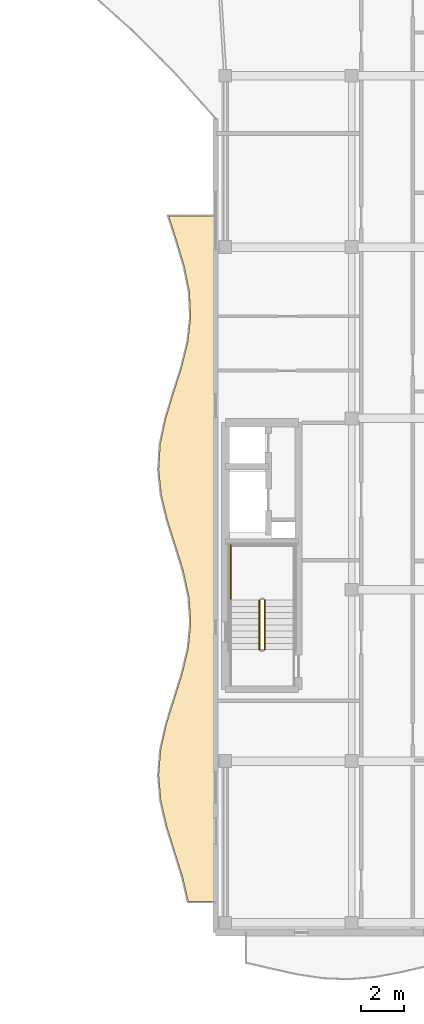
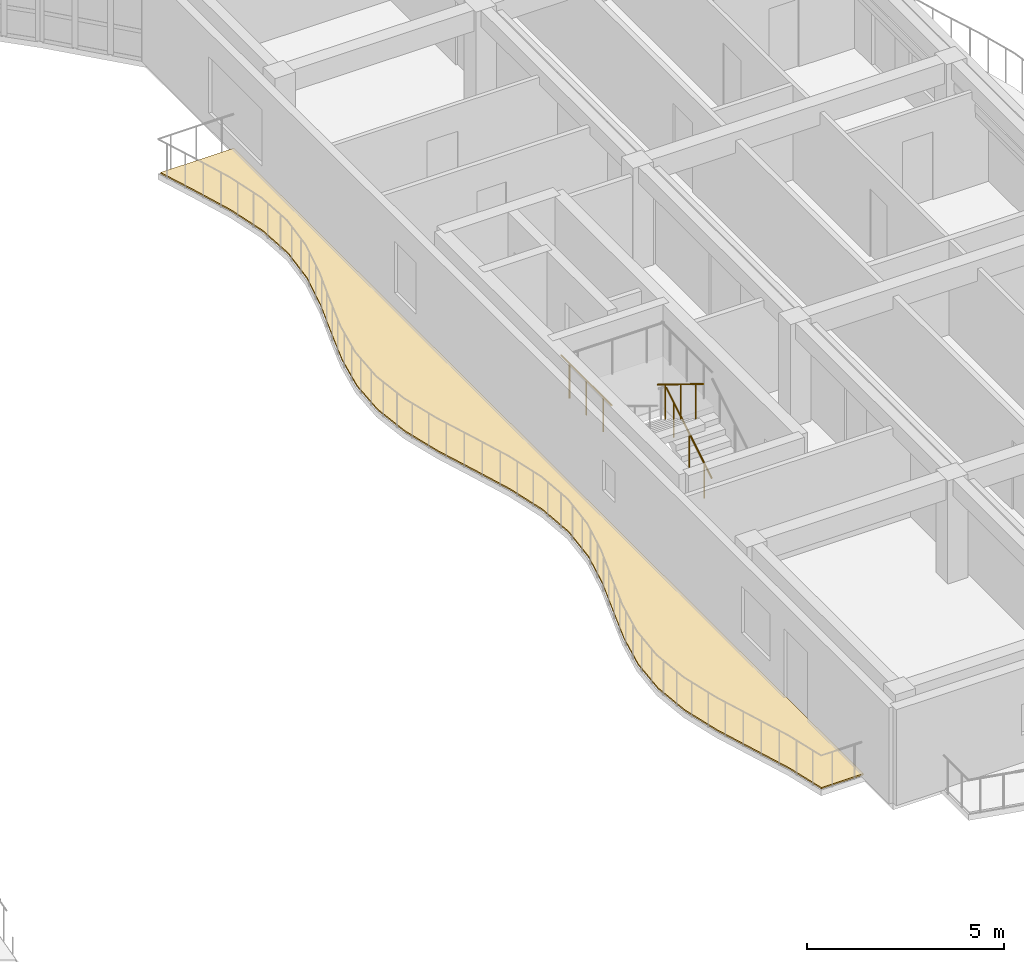
# One storey, part 53 of 76: 3 railings, 1 covering.
"""IFC4 building model written with IfcOpenShell, lengths in metres."""

from ifc_helpers import new_model, si_unit, direction, frame, origin, origin_2d, place, context, subcontext, project, spatial, polyline, circle, outline, extrude, material, layer, layer_set, type_object, element, save


model = new_model("IFC4")

# Units and contexts
model_context = context("Model", 3, precision=1e-05, world=origin(), true_north=direction((0.0, 1.0)))
body_context = subcontext(model_context, "Body", "Model", "MODEL_VIEW")
ifc_project = project(units=[si_unit("LENGTHUNIT", "METRE"), si_unit("AREAUNIT", "SQUARE_METRE"), si_unit("VOLUMEUNIT", "CUBIC_METRE"), si_unit("PLANEANGLEUNIT", "RADIAN"), si_unit("MASSUNIT", "GRAM", prefix="KILO")], contexts=[model_context])

# Site, building, storey
site_placement = place(None, origin())
site = spatial("IfcSite", under=ifc_project, at=site_placement, CompositionType="ELEMENT")
building_placement = place(site_placement, origin())
building = spatial("IfcBuilding", under=site, at=building_placement, Name="Keldmere Railside Commons", CompositionType="ELEMENT")
storey_placement = place(building_placement, frame((0.0, 0.0, 13.760009765625)))
storey = spatial("IfcBuildingStorey", under=building, at=storey_placement, Name="L04", CompositionType="ELEMENT", Elevation=13.760009765625)

# Railings
ifc_material_1 = material(Name="Steel F-24 (S235)", Category="steel")
railing_type = type_object("IfcRailingType", Name="Stair Well Steel Guardrail 1100", PredefinedType="BALUSTRADE", material=ifc_material_1)
railing_1_placement = place(storey_placement, frame((50.300048828125, 69.199951171875, 0.177734375)))
element("IfcRailing", 1, at=railing_1_placement, inside=storey, type_object=railing_type, Name="L04 ST-C1 stair guard 1", PredefinedType="BALUSTRADE", context=body_context, shape_type="SweptSolid", body=[
    extrude(circle(Radius=0.02392578125, at=origin_2d()), frame((0.0, 0.0, 1.076171875), z_axis=(0.0, 0.852538067394, 0.522665135287), x_axis=(-1.0, 0.0, 0.0)), (0.0, 0.0, 1.0), 2.721435546875),
    extrude(circle(Radius=0.02099609375, at=origin_2d()), frame((0.0, 0.38671875, 0.237060546875)), (0.0, 0.0, 1.0), 1.048095703125),
    extrude(circle(Radius=0.02099609375, at=origin_2d()), frame((0.0, 1.16015625, 0.711181640625)), (0.0, 0.0, 1.0), 1.048095703125),
    extrude(circle(Radius=0.02099609375, at=origin_2d()), frame((0.0, 1.933349609375, 1.185302734375)), (0.0, 0.0, 1.0), 1.048095703125),
])
railing_2_placement = place(storey_placement, frame((48.699951171875, 71.52001953125, 1.60009765625)))
element("IfcRailing", 2, at=railing_2_placement, inside=storey, type_object=railing_type, Name="L04 ST-C1 stair guard 4", PredefinedType="BALUSTRADE", context=body_context, shape_type="SweptSolid", body=[
    extrude(circle(Radius=0.02392578125, at=origin_2d()), frame((0.0, 0.0, 1.076171875), z_axis=(0.0, 1.0, 0.0), x_axis=(-1.0, 0.0, 0.0)), (0.0, 0.0, 1.0), 2.580078125),
    extrude(circle(Radius=0.02099609375, at=origin_2d()), frame((0.0, 0.429931640625, 0.0)), (0.0, 0.0, 1.0), 1.048095703125),
    extrude(circle(Radius=0.02099609375, at=origin_2d()), frame((0.0, 1.2900390625, 0.0)), (0.0, 0.0, 1.0), 1.048095703125),
    extrude(circle(Radius=0.02099609375, at=origin_2d()), frame((0.0, 2.150146484375, 0.0)), (0.0, 0.0, 1.0), 1.048095703125),
])
railing_3_placement = place(storey_placement, frame((50.050048828125, 71.52001953125, 1.77783203125)))
element("IfcRailing", 3, at=railing_3_placement, inside=storey, type_object=railing_type, Name="L04 ST-C1 stair guard 6", PredefinedType="BALUSTRADE", context=body_context, shape_type="SweptSolid", body=[
    extrude(circle(Radius=0.02392578125, at=origin_2d()), frame((0.0, 0.0, 1.076171875), z_axis=(0.0, -0.852578041948, 0.522599925744), x_axis=(1.0, 0.0, 0.0)), (0.0, 0.0, 1.0), 2.72119140625),
    extrude(circle(Radius=0.02099609375, at=origin_2d()), frame((0.0, -0.38671875, 0.237060546875)), (0.0, 0.0, 1.0), 1.048095703125),
    extrude(circle(Radius=0.02099609375, at=origin_2d()), frame((0.0, -1.16015625, 0.7109375)), (0.0, 0.0, 1.0), 1.048095703125),
    extrude(circle(Radius=0.02099609375, at=origin_2d()), frame((0.0, -1.933349609375, 1.18505859375)), (0.0, 0.0, 1.0), 1.048095703125),
])

# Covering
ifc_material_2 = material(Name="White Precast Concrete C35/45", Category="concrete")
ifc_layer = layer(ifc_material_2, 0.044921875, Name="White Architectural Balcony Ribbon Cladding 45")
ifc_layer_set = layer_set([ifc_layer], Name="White Precast Concrete C35/45")
covering_type = type_object("IfcCoveringType", Name="White Architectural Balcony Ribbon Cladding 45", PredefinedType="FLOORING", material=ifc_layer_set)
covering_placement = place(storey_placement, origin())
element("IfcCovering", 4, at=covering_placement, inside=storey, type_object=covering_type, Name="CLG-WB C L04 CW White Balcony Ribbon", PredefinedType="FLOORING", context=body_context, shape_type="SweptSolid", body=[
    extrude(outline(polyline([(47.9599609375, 89.4599609375), (45.80810546875, 89.4599609375), (46.172119140625, 88.3232421875), (46.172119140625, 88.322509765625), (46.530517578125, 87.1337890625), (46.531494140625, 87.130126953125), (46.773681640625, 85.94140625), (46.774169921875, 85.938232421875), (46.7744140625, 85.935302734375), (46.836181640625, 84.74658203125), (46.83642578125, 84.7431640625), (46.836181640625, 84.739990234375), (46.70166015625, 83.551025390625), (46.70068359375, 83.5458984375), (46.405517578125, 82.357177734375), (46.40478515625, 82.3544921875), (46.026123046875, 81.166015625), (45.664306640625, 79.97900390625), (45.41455078125, 78.794677734375), (45.341796875, 77.612060546875), (45.465087890625, 76.428955078125), (45.752197265625, 75.244140625), (46.12841796875, 74.056396484375), (46.128662109375, 74.05615234375), (46.49462890625, 72.867431640625), (46.49560546875, 72.864013671875), (46.75439453125, 71.67529296875), (46.75537109375, 71.66943359375), (46.83935546875, 70.480712890625), (46.83935546875, 70.477294921875), (46.839111328125, 70.47412109375), (46.72607421875, 69.28515625), (46.72509765625, 69.27978515625), (46.444580078125, 68.0908203125), (46.44384765625, 68.087890625), (46.069580078125, 66.899169921875), (45.70068359375, 65.7119140625), (45.4345703125, 64.52734375), (45.340087890625, 63.344482421875), (45.442138671875, 62.161865234375), (45.7138671875, 60.977294921875), (46.0849609375, 59.789794921875), (46.457275390625, 58.600830078125), (46.4580078125, 58.597900390625), (46.72607421875, 57.43994140625), (47.9599609375, 57.43994140625), (47.9599609375, 89.4599609375)])), origin(), (0.0, 0.0, 1.0), 0.044921875),
])

save(model, "model.ifc")
